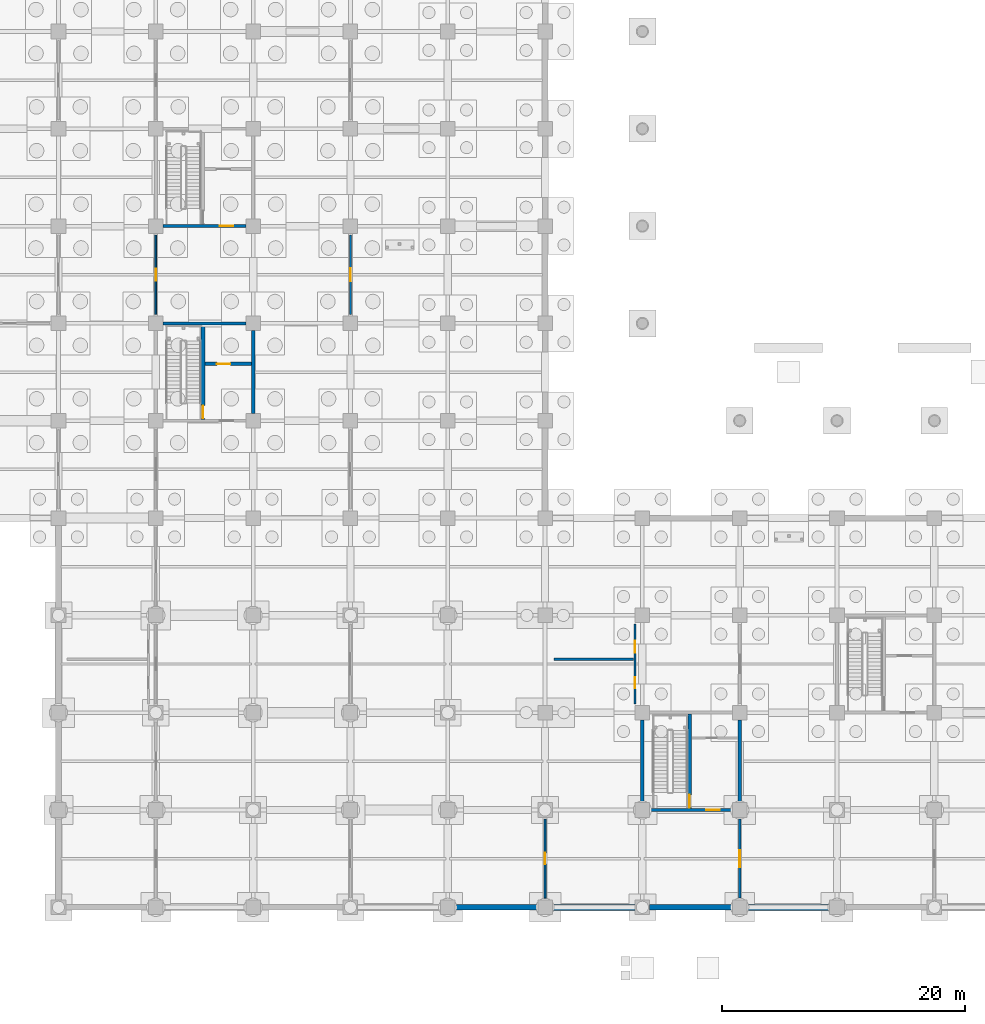
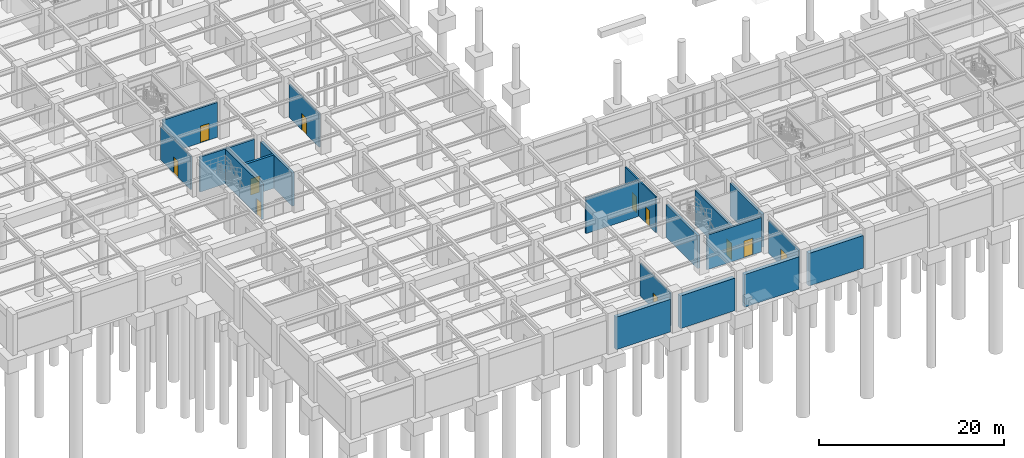
# One storey, part 68 of 97: 19 walls, 11 doors, 11 openings.
"""IFC4 building model written with IfcOpenShell, lengths in metres."""

from ifc_helpers import new_model, si_unit, direction, frame, frame_2d, origin, place, context, subcontext, project, spatial, rectangle, extrude, material, layer, layer_set, type_object, element, fill, save


model = new_model("IFC4")

# Units and contexts
model_context = context("Model", 3, precision=1e-05, world=origin(), true_north=direction((0.0, 1.0)))
body_context = subcontext(model_context, "Body", "Model", "MODEL_VIEW")
ifc_project = project(units=[si_unit("LENGTHUNIT", "METRE"), si_unit("AREAUNIT", "SQUARE_METRE"), si_unit("VOLUMEUNIT", "CUBIC_METRE"), si_unit("PLANEANGLEUNIT", "RADIAN"), si_unit("MASSUNIT", "GRAM", prefix="KILO")], contexts=[model_context])

# Site, building, storey
site_placement = place(None, origin())
site = spatial("IfcSite", under=ifc_project, at=site_placement, CompositionType="ELEMENT")
building_placement = place(site_placement, origin())
building = spatial("IfcBuilding", under=site, at=building_placement, Name="Haebicheon Civic Stadium", CompositionType="ELEMENT")
storey_placement = place(building_placement, frame((0.0, 0.0, -5.39990234375)))
storey = spatial("IfcBuildingStorey", under=building, at=storey_placement, Name="B1", CompositionType="ELEMENT", Elevation=-5.39990234375)

# Wall
ifc_material_1 = material(Name="Concrete C40/50", Category="concrete")
ifc_layer_1 = layer(ifc_material_1, 0.239990234375, Name="Concrete C40/50")
ifc_layer_set_1 = layer_set([ifc_layer_1], Name="Concrete C40/50")
wall_type_1 = type_object("IfcWallType", Name="CW-SHR-240", PredefinedType="SHEAR", material=ifc_layer_set_1)
wall_1_placement = place(storey_placement, frame((32.60009765625, 48.0, 0.0), z_axis=(0.0, 0.0, 1.0), x_axis=(1.0, 0.0, 0.0)))
element("IfcWall", 1, at=wall_1_placement, inside=storey, type_object=wall_type_1, material=ifc_layer_set_1, Name="KC-01 B1 north core shear wall", PredefinedType="SHEAR", context=body_context, shape_type="SweptSolid", body=[
    extrude(rectangle(XDim=6.7998046875, YDim=0.239990234375, at=frame_2d((3.39990234375, 0.0))), origin(), (0.0, 0.0, 1.0), 4.58984375),
])

# Wall, opening, door
wall_2_placement = place(storey_placement, frame((32.60009765625, 56.0, 0.0), z_axis=(0.0, 0.0, 1.0), x_axis=(1.0, 0.0, 0.0)))
wall_2 = element("IfcWall", 2, at=wall_2_placement, inside=storey, type_object=wall_type_1, material=ifc_layer_set_1, Name="KC-02 B1 south core shear wall", PredefinedType="SHEAR", context=body_context, shape_type="SweptSolid", body=[
    extrude(rectangle(XDim=6.7998046875, YDim=0.239990234375, at=frame_2d((3.39990234375, 0.0))), origin(), (0.0, 0.0, 1.0), 4.58984375),
])
opening_1_placement = place(wall_2_placement, frame((4.64990234375, 0.0, 0.0)))
opening_1 = element("IfcOpeningElement", 3, at=opening_1_placement, cuts=wall_2, Name="Opening D-B1-KC-02-LOB", PredefinedType="OPENING", context=body_context, shape_type="SweptSolid", body=[
    extrude(rectangle(XDim=1.10009765625, YDim=2.199951171875, at=frame_2d((0.550048828125, 1.10009765625))), frame((0.0, 0.1298828125, 0.0), z_axis=(0.0, -1.0, 0.0), x_axis=(1.0, 0.0, 0.0)), (0.0, 0.0, 1.0), 0.260009765625),
])
ifc_material_2 = material(Name="Galvanised painted steel SM355", Category="steel")
door_type_1 = type_object("IfcDoorType", Name="ID-FD-1100", OperationType="NOTDEFINED", PredefinedType="DOOR", material=ifc_material_2)
door_1_placement = place(opening_1_placement, origin())
door_1 = element("IfcDoor", 4, at=door_1_placement, inside=storey, type_object=door_type_1, material=ifc_material_2, Name="B1 KC-02 lobby fire door", OperationType="SINGLE_SWING_LEFT", OverallHeight=2.199951171875, OverallWidth=1.10009765625, PredefinedType="DOOR", context=body_context, shape_type="SweptSolid", body=[
    extrude(rectangle(XDim=1.10009765625, YDim=2.199951171875, at=frame_2d((0.550048828125, 1.10009765625))), frame((0.0, 0.02490234375, 0.0), z_axis=(0.0, -1.0, 0.0), x_axis=(1.0, 0.0, 0.0)), (0.0, 0.0, 1.0), 0.050048828125),
])
fill(opening_1, door_1)

wall_3_placement = place(storey_placement, frame((72.60009765625, 8.0, 0.0), z_axis=(0.0, 0.0, 1.0), x_axis=(1.0, 0.0, 0.0)))
wall_3 = element("IfcWall", 5, at=wall_3_placement, inside=storey, type_object=wall_type_1, material=ifc_layer_set_1, Name="KC-16 B1 south core shear wall", PredefinedType="SHEAR", context=body_context, shape_type="SweptSolid", body=[
    extrude(rectangle(XDim=6.7998046875, YDim=0.239990234375, at=frame_2d((3.39990234375, 0.0))), origin(), (0.0, 0.0, 1.0), 4.539794921875),
])
opening_2_placement = place(wall_3_placement, frame((4.64990234375, 0.0, 0.0)))
opening_2 = element("IfcOpeningElement", 6, at=opening_2_placement, cuts=wall_3, Name="Opening D-B1-KC-16-LOB", PredefinedType="OPENING", context=body_context, shape_type="SweptSolid", body=[
    extrude(rectangle(XDim=1.10009765625, YDim=2.199951171875, at=frame_2d((0.550048828125, 1.10009765625))), frame((0.0, 0.1298828125, 0.0), z_axis=(0.0, -1.0, 0.0), x_axis=(1.0, 0.0, 0.0)), (0.0, 0.0, 1.0), 0.260009765625),
])
door_2_placement = place(opening_2_placement, origin())
door_2 = element("IfcDoor", 7, at=door_2_placement, inside=storey, type_object=door_type_1, material=ifc_material_2, Name="B1 KC-16 lobby fire door", OperationType="SINGLE_SWING_RIGHT", OverallHeight=2.199951171875, OverallWidth=1.10009765625, PredefinedType="DOOR", context=body_context, shape_type="SweptSolid", body=[
    extrude(rectangle(XDim=1.10009765625, YDim=2.199951171875, at=frame_2d((0.550048828125, 1.10009765625))), frame((0.0, 0.02490234375, 0.0), z_axis=(0.0, -1.0, 0.0), x_axis=(1.0, 0.0, 0.0)), (0.0, 0.0, 1.0), 0.050048828125),
])
fill(opening_2, door_2)

# Wall
ifc_material_3 = material(Name="Concrete C40/50", Category="concrete")
ifc_layer_2 = layer(ifc_material_3, 0.300048828125, Name="Concrete C40/50")
ifc_layer_set_2 = layer_set([ifc_layer_2], Name="Concrete C40/50")
wall_type_2 = type_object("IfcWallType", Name="CW-SHR-300", PredefinedType="SHEAR", material=ifc_layer_set_2)
wall_4_placement = place(storey_placement, frame((40.0, 40.60009765625, 0.0), z_axis=(0.0, 0.0, 1.0), x_axis=(0.0, 1.0, 0.0)))
element("IfcWall", 8, at=wall_4_placement, inside=storey, type_object=wall_type_2, material=ifc_layer_set_2, Name="KC-01 B1 east core shear wall", PredefinedType="SHEAR", context=body_context, shape_type="SweptSolid", body=[
    extrude(rectangle(XDim=6.7998046875, YDim=0.300048828125, at=frame_2d((3.39990234375, 0.0))), origin(), (0.0, 0.0, 1.0), 4.389892578125),
])

# Wall, opening, door
wall_5_placement = place(storey_placement, frame((35.8798828125, 40.1201171875, 0.0), z_axis=(0.0, 0.0, 1.0), x_axis=(0.0, 1.0, 0.0)))
wall_5 = element("IfcWall", 9, at=wall_5_placement, inside=storey, type_object=wall_type_2, material=ifc_layer_set_2, Name="KC-01 B1 stair-lobby dividing shear wall", PredefinedType="SHEAR", context=body_context, shape_type="SweptSolid", body=[
    extrude(rectangle(XDim=7.759765625, YDim=0.300048828125, at=frame_2d((3.8798828125, 0.0))), origin(), (0.0, 0.0, 1.0), 4.58984375),
])
opening_3_placement = place(wall_5_placement, frame((0.080078125, 0.0, 0.0)))
opening_3 = element("IfcOpeningElement", 10, at=opening_3_placement, cuts=wall_5, Name="Opening D-B1-KC-01-STR", PredefinedType="OPENING", context=body_context, shape_type="SweptSolid", body=[
    extrude(rectangle(XDim=1.050048828125, YDim=2.14990234375, at=frame_2d((0.52490234375, 1.074951171875))), frame((0.0, 0.159912109375, 0.0), z_axis=(0.0, -1.0, 0.0), x_axis=(1.0, 0.0, 0.0)), (0.0, 0.0, 1.0), 0.320068359375),
])
ifc_material_4 = material(Name="Galvanised painted steel SM355", Category="steel")
door_type_2 = type_object("IfcDoorType", Name="ID-FD-1050", OperationType="NOTDEFINED", PredefinedType="DOOR", material=ifc_material_4)
door_3_placement = place(opening_3_placement, origin())
door_3 = element("IfcDoor", 11, at=door_3_placement, inside=storey, type_object=door_type_2, material=ifc_material_4, Name="B1 ST-01 stairwell escape door", OperationType="SINGLE_SWING_RIGHT", OverallHeight=2.14990234375, OverallWidth=1.050048828125, PredefinedType="DOOR", context=body_context, shape_type="SweptSolid", body=[
    extrude(rectangle(XDim=1.050048828125, YDim=2.14990234375, at=frame_2d((0.52490234375, 1.074951171875))), frame((0.0, 0.02490234375, 0.0), z_axis=(0.0, -1.0, 0.0), x_axis=(1.0, 0.0, 0.0)), (0.0, 0.0, 1.0), 0.050048828125),
])
fill(opening_3, door_3)

wall_6_placement = place(storey_placement, frame((36.030029296875, 44.679931640625, 0.0), z_axis=(0.0, 0.0, 1.0), x_axis=(1.0, 0.0, 0.0)))
wall_6 = element("IfcWall", 12, at=wall_6_placement, inside=storey, type_object=wall_type_2, material=ifc_layer_set_2, Name="KC-01 B1 lift shaft front wall", PredefinedType="SHEAR", context=body_context, shape_type="SweptSolid", body=[
    extrude(rectangle(XDim=3.820068359375, YDim=0.300048828125, at=frame_2d((1.91015625, 0.0))), origin(), (0.0, 0.0, 1.0), 4.389892578125),
])
opening_4_placement = place(wall_6_placement, frame((1.0, 0.0, 0.0)))
opening_4 = element("IfcOpeningElement", 13, at=opening_4_placement, cuts=wall_6, Name="Opening LD-01-B1", PredefinedType="OPENING", context=body_context, shape_type="SweptSolid", body=[
    extrude(rectangle(XDim=1.10009765625, YDim=2.14990234375, at=frame_2d((0.550048828125, 1.074951171875))), frame((0.0, 0.159912109375, 0.0), z_axis=(0.0, -1.0, 0.0), x_axis=(1.0, 0.0, 0.0)), (0.0, 0.0, 1.0), 0.320068359375),
])
ifc_material_5 = material(Name="Stainless steel 316", Category="steel")
door_type_3 = type_object("IfcDoorType", Name="ID-LD-1100", OperationType="NOTDEFINED", PredefinedType="DOOR", material=ifc_material_5)
door_4_placement = place(opening_4_placement, origin())
door_4 = element("IfcDoor", 14, at=door_4_placement, inside=storey, type_object=door_type_3, material=ifc_material_5, Name="LF-01 lift landing sliding door B1", OperationType="SLIDING_TO_LEFT", OverallHeight=2.14990234375, OverallWidth=1.10009765625, PredefinedType="DOOR", context=body_context, shape_type="SweptSolid", body=[
    extrude(rectangle(XDim=1.10009765625, YDim=2.14990234375, at=frame_2d((0.550048828125, 1.074951171875))), frame((0.0, 0.02490234375, 0.0), z_axis=(0.0, -1.0, 0.0), x_axis=(1.0, 0.0, 0.0)), (0.0, 0.0, 1.0), 0.050048828125),
])
fill(opening_4, door_4)

# Walls
for number, where, z_axis, x_axis, name in (
    (15, (72.0, 8.60009765625, 0.0), (0.0, 0.0, 1.0), (0.0, 1.0, 0.0), "KC-16 B1 west core shear wall"),
    (16, (80.0, 8.60009765625, 0.0), (0.0, 0.0, 1.0), (0.0, 1.0, 0.0), "KC-16 B1 east core shear wall"),
):
    element("IfcWall", number, at=place(storey_placement, frame(where, z_axis=z_axis, x_axis=x_axis)), inside=storey, type_object=wall_type_2, material=ifc_layer_set_2, Name=name, PredefinedType="SHEAR", context=body_context, shape_type="SweptSolid", body=[
        extrude(rectangle(XDim=6.7998046875, YDim=0.300048828125, at=frame_2d((3.39990234375, 0.0))), origin(), (0.0, 0.0, 1.0), 4.33984375),
    ])

# Wall, opening, door
wall_7_placement = place(storey_placement, frame((75.8798828125, 8.1201171875, 0.0), z_axis=(0.0, 0.0, 1.0), x_axis=(0.0, 1.0, 0.0)))
wall_7 = element("IfcWall", 17, at=wall_7_placement, inside=storey, type_object=wall_type_2, material=ifc_layer_set_2, Name="KC-16 B1 stair-lobby dividing shear wall", PredefinedType="SHEAR", context=body_context, shape_type="SweptSolid", body=[
    extrude(rectangle(XDim=7.759765625, YDim=0.300048828125, at=frame_2d((3.8798828125, 0.0))), origin(), (0.0, 0.0, 1.0), 4.539794921875),
])
opening_5_placement = place(wall_7_placement, frame((0.080078125, 0.0, 0.0)))
opening_5 = element("IfcOpeningElement", 18, at=opening_5_placement, cuts=wall_7, Name="Opening D-B1-KC-16-STR", PredefinedType="OPENING", context=body_context, shape_type="SweptSolid", body=[
    extrude(rectangle(XDim=1.050048828125, YDim=2.14990234375, at=frame_2d((0.52490234375, 1.074951171875))), frame((0.0, 0.159912109375, 0.0), z_axis=(0.0, -1.0, 0.0), x_axis=(1.0, 0.0, 0.0)), (0.0, 0.0, 1.0), 0.320068359375),
])
door_5_placement = place(opening_5_placement, origin())
door_5 = element("IfcDoor", 19, at=door_5_placement, inside=storey, type_object=door_type_2, material=ifc_material_4, Name="B1 ST-16 stairwell escape door", OperationType="SINGLE_SWING_LEFT", OverallHeight=2.14990234375, OverallWidth=1.050048828125, PredefinedType="DOOR", context=body_context, shape_type="SweptSolid", body=[
    extrude(rectangle(XDim=1.050048828125, YDim=2.14990234375, at=frame_2d((0.52490234375, 1.074951171875))), frame((0.0, 0.02490234375, 0.0), z_axis=(0.0, -1.0, 0.0), x_axis=(1.0, 0.0, 0.0)), (0.0, 0.0, 1.0), 0.050048828125),
])
fill(opening_5, door_5)

# Walls
ifc_material_6 = material(Name="Concrete C40/50", Category="concrete")
ifc_layer_3 = layer(ifc_material_6, 0.4599609375, Name="Concrete C40/50")
ifc_layer_set_3 = layer_set([ifc_layer_3], Name="Concrete C40/50")
wall_type_3 = type_object("IfcWallType", Name="EW-RET-460", PredefinedType="STANDARD", material=ifc_layer_set_3)
for number, where, z_axis, x_axis, name in (
    (20, (56.60009765625, 0.0, 0.0), (0.0, 0.0, 1.0), (1.0, 0.0, 0.0), "B1 retaining wall 07-00-S"),
    (21, (72.60009765625, 0.0, 0.0), (0.0, 0.0, 1.0), (1.0, 0.0, 0.0), "B1 retaining wall 09-00-S"),
):
    element("IfcWall", number, at=place(storey_placement, frame(where, z_axis=z_axis, x_axis=x_axis)), inside=storey, type_object=wall_type_3, material=ifc_layer_set_3, Name=name, PredefinedType="STANDARD", context=body_context, shape_type="SweptSolid", body=[
        extrude(rectangle(XDim=6.7998046875, YDim=0.4599609375, at=frame_2d((3.39990234375, 0.0))), origin(), (0.0, 0.0, 1.0), 4.289794921875),
    ])
ifc_material_7 = material(Name="Concrete C40/50", Category="concrete")
ifc_layer_4 = layer(ifc_material_7, 0.5, Name="Concrete C40/50")
ifc_layer_set_4 = layer_set([ifc_layer_4], Name="Concrete C40/50")
wall_type_4 = type_object("IfcWallType", Name="EW-RET-500", PredefinedType="STANDARD", material=ifc_layer_set_4)
for number, where, z_axis, x_axis, name in (
    (22, (64.60009765625, 0.0, 0.0), (0.0, 0.0, 1.0), (1.0, 0.0, 0.0), "B1 retaining wall 08-00-S"),
    (23, (80.60009765625, 0.0, 0.0), (0.0, 0.0, 1.0), (1.0, 0.0, 0.0), "B1 retaining wall 10-00-S"),
):
    element("IfcWall", number, at=place(storey_placement, frame(where, z_axis=z_axis, x_axis=x_axis)), inside=storey, type_object=wall_type_4, material=ifc_layer_set_4, Name=name, PredefinedType="STANDARD", context=body_context, shape_type="SweptSolid", body=[
        extrude(rectangle(XDim=6.7998046875, YDim=0.5, at=frame_2d((3.39990234375, 0.0))), origin(), (0.0, 0.0, 1.0), 4.289794921875),
    ])

# Wall, opening, door
ifc_material_8 = material(Name="Anodised aluminium acoustic panel", Category="aluminium")
ifc_layer_5 = layer(ifc_material_8, 0.139892578125, Name="Anodised aluminium acoustic panel")
ifc_layer_set_5 = layer_set([ifc_layer_5], Name="Anodised aluminium acoustic panel")
wall_type_5 = type_object("IfcWallType", Name="IW-MOV-140", PredefinedType="MOVABLE", material=ifc_layer_set_5)
wall_8_placement = place(storey_placement, frame((32.0, 48.75, 0.0), z_axis=(0.0, 0.0, 1.0), x_axis=(0.0, 1.0, 0.0)))
wall_8 = element("IfcWall", 24, at=wall_8_placement, inside=storey, type_object=wall_type_5, material=ifc_layer_set_5, Name="B1 Home Team Changing Room partition wall", PredefinedType="MOVABLE", context=body_context, shape_type="SweptSolid", body=[
    extrude(rectangle(XDim=6.5, YDim=0.139892578125, at=frame_2d((3.25, 0.0))), origin(), (0.0, 0.0, 1.0), 4.389892578125),
])
opening_6_placement = place(wall_8_placement, frame((2.77490234375, 0.0, 0.0)))
opening_6 = element("IfcOpeningElement", 25, at=opening_6_placement, cuts=wall_8, Name="Opening D-B1-013", PredefinedType="OPENING", context=body_context, shape_type="SweptSolid", body=[
    extrude(rectangle(XDim=0.949951171875, YDim=2.10009765625, at=frame_2d((0.47509765625, 1.050048828125))), frame((0.0, 0.079833984375, 0.0), z_axis=(0.0, -1.0, 0.0), x_axis=(1.0, 0.0, 0.0)), (0.0, 0.0, 1.0), 0.159912109375),
])
ifc_material_9 = material(Name="Engineered hardwood timber", Category="wood")
door_type_4 = type_object("IfcDoorType", Name="ID-RM-0950", OperationType="NOTDEFINED", PredefinedType="DOOR", material=ifc_material_9)
door_6_placement = place(opening_6_placement, origin())
door_6 = element("IfcDoor", 26, at=door_6_placement, inside=storey, type_object=door_type_4, material=ifc_material_9, Name="B1 Home Team Changing Room entrance door D-B1-013", OperationType="SINGLE_SWING_LEFT", OverallHeight=2.10009765625, OverallWidth=0.949951171875, PredefinedType="DOOR", context=body_context, shape_type="SweptSolid", body=[
    extrude(rectangle(XDim=0.949951171875, YDim=2.10009765625, at=frame_2d((0.47509765625, 1.050048828125))), frame((0.0, 0.02490234375, 0.0), z_axis=(0.0, -1.0, 0.0), x_axis=(1.0, 0.0, 0.0)), (0.0, 0.0, 1.0), 0.050048828125),
])
fill(opening_6, door_6)

# Wall
ifc_material_10 = material(Name="Concrete C35/45", Category="concrete")
ifc_layer_6 = layer(ifc_material_10, 0.219970703125, Name="Concrete C35/45")
ifc_layer_set_6 = layer_set([ifc_layer_6], Name="Concrete C35/45")
wall_type_6 = type_object("IfcWallType", Name="IW-PLB-220", PredefinedType="PLUMBINGWALL", material=ifc_layer_set_6)
wall_9_placement = place(storey_placement, frame((64.719970703125, 20.39990234375, 0.0), z_axis=(0.0, 0.0, 1.0), x_axis=(1.0, 0.0, 0.0)))
element("IfcWall", 27, at=wall_9_placement, inside=storey, type_object=wall_type_6, material=ifc_layer_set_6, Name="B1 sanitary plumbing chase wall 02", PredefinedType="PLUMBINGWALL", context=body_context, shape_type="SweptSolid", body=[
    extrude(rectangle(XDim=6.56005859375, YDim=0.219970703125, at=frame_2d((3.280029296875, 0.0))), origin(), (0.0, 0.0, 1.0), 4.68994140625),
])

# Wall, opening, door
ifc_material_11 = material(Name="Gypsum plasterboard on steel studs", Category="gypsum")
ifc_layer_7 = layer(ifc_material_11, 0.14990234375, Name="Gypsum plasterboard on steel studs")
ifc_layer_set_7 = layer_set([ifc_layer_7], Name="Gypsum plasterboard on steel studs")
wall_type_7 = type_object("IfcWallType", Name="IW-PRT-150", PredefinedType="PARTITIONING", material=ifc_layer_set_7)
wall_10_placement = place(storey_placement, frame((48.0, 48.75, 0.0), z_axis=(0.0, 0.0, 1.0), x_axis=(0.0, 1.0, 0.0)))
wall_10 = element("IfcWall", 28, at=wall_10_placement, inside=storey, type_object=wall_type_7, material=ifc_layer_set_7, Name="B1 Doping Control and Medical Examination Suite partition wall", PredefinedType="PARTITIONING", context=body_context, shape_type="SweptSolid", body=[
    extrude(rectangle(XDim=6.5, YDim=0.14990234375, at=frame_2d((3.25, 0.0))), origin(), (0.0, 0.0, 1.0), 4.389892578125),
])
opening_7_placement = place(wall_10_placement, frame((2.72509765625, 0.0, 0.0)))
opening_7 = element("IfcOpeningElement", 29, at=opening_7_placement, cuts=wall_10, Name="Opening D-B1-023", PredefinedType="OPENING", context=body_context, shape_type="SweptSolid", body=[
    extrude(rectangle(XDim=1.050048828125, YDim=2.14990234375, at=frame_2d((0.52490234375, 1.074951171875))), frame((0.0, 0.0849609375, 0.0), z_axis=(0.0, -1.0, 0.0), x_axis=(1.0, 0.0, 0.0)), (0.0, 0.0, 1.0), 0.169921875),
])
ifc_material_12 = material(Name="Engineered hardwood timber", Category="wood")
door_type_5 = type_object("IfcDoorType", Name="ID-RM-1050", OperationType="NOTDEFINED", PredefinedType="DOOR", material=ifc_material_12)
door_7_placement = place(opening_7_placement, origin())
door_7 = element("IfcDoor", 30, at=door_7_placement, inside=storey, type_object=door_type_5, material=ifc_material_12, Name="B1 Doping Control and Medical Examination Suite entrance door D-B1-023", OperationType="SINGLE_SWING_RIGHT", OverallHeight=2.14990234375, OverallWidth=1.050048828125, PredefinedType="DOOR", context=body_context, shape_type="SweptSolid", body=[
    extrude(rectangle(XDim=1.050048828125, YDim=2.14990234375, at=frame_2d((0.52490234375, 1.074951171875))), frame((0.0, 0.02490234375, 0.0), z_axis=(0.0, -1.0, 0.0), x_axis=(1.0, 0.0, 0.0)), (0.0, 0.0, 1.0), 0.050048828125),
])
fill(opening_7, door_7)

# Wall, openings, doors
wall_11_placement = place(storey_placement, frame((71.39990234375, 16.719970703125, 0.0), z_axis=(0.0, 0.0, 1.0), x_axis=(0.0, 1.0, 0.0)))
wall_11 = element("IfcWall", 31, at=wall_11_placement, inside=storey, type_object=wall_type_7, material=ifc_layer_set_7, Name="B1 sanitary enclosure front wall 02", PredefinedType="PARTITIONING", context=body_context, shape_type="SweptSolid", body=[
    extrude(rectangle(XDim=6.56005859375, YDim=0.14990234375, at=frame_2d((3.280029296875, 0.0))), origin(), (0.0, 0.0, 1.0), 4.68994140625),
])
opening_8_placement = place(wall_11_placement, frame((1.300048828125, 0.0, 0.0)))
opening_8 = element("IfcOpeningElement", 32, at=opening_8_placement, cuts=wall_11, Name="Opening D-B1-WC-02A", PredefinedType="OPENING", context=body_context, shape_type="SweptSolid", body=[
    extrude(rectangle(XDim=0.89990234375, YDim=2.10009765625, at=frame_2d((0.449951171875, 1.050048828125))), frame((0.0, 0.0849609375, 0.0), z_axis=(0.0, -1.0, 0.0), x_axis=(1.0, 0.0, 0.0)), (0.0, 0.0, 1.0), 0.169921875),
])
opening_9_placement = place(wall_11_placement, frame((4.199951171875, 0.0, 0.0)))
opening_9 = element("IfcOpeningElement", 33, at=opening_9_placement, cuts=wall_11, Name="Opening D-B1-AWC-02B", PredefinedType="OPENING", context=body_context, shape_type="SweptSolid", body=[
    extrude(rectangle(XDim=1.0, YDim=2.14990234375, at=frame_2d((0.5, 1.074951171875))), frame((0.0, 0.0849609375, 0.0), z_axis=(0.0, -1.0, 0.0), x_axis=(1.0, 0.0, 0.0)), (0.0, 0.0, 1.0), 0.169921875),
])
ifc_material_13 = material(Name="Anodised aluminium 6063-T6", Category="aluminium")
door_type_6 = type_object("IfcDoorType", Name="ID-AWC-1000", OperationType="NOTDEFINED", PredefinedType="DOOR", material=ifc_material_13)
door_8_placement = place(opening_9_placement, origin())
door_8 = element("IfcDoor", 34, at=door_8_placement, inside=storey, type_object=door_type_6, material=ifc_material_13, Name="B1 accessible WC door 02", OperationType="SINGLE_SWING_RIGHT", OverallHeight=2.14990234375, OverallWidth=1.0, PredefinedType="DOOR", context=body_context, shape_type="SweptSolid", body=[
    extrude(rectangle(XDim=1.0, YDim=2.14990234375, at=frame_2d((0.5, 1.074951171875))), frame((0.0, 0.02490234375, 0.0), z_axis=(0.0, -1.0, 0.0), x_axis=(1.0, 0.0, 0.0)), (0.0, 0.0, 1.0), 0.050048828125),
])
fill(opening_9, door_8)
ifc_material_14 = material(Name="Anodised aluminium 6063-T6", Category="aluminium")
door_type_7 = type_object("IfcDoorType", Name="ID-WC-0900", OperationType="NOTDEFINED", PredefinedType="DOOR", material=ifc_material_14)
door_9_placement = place(opening_8_placement, origin())
door_9 = element("IfcDoor", 35, at=door_9_placement, inside=storey, type_object=door_type_7, material=ifc_material_14, Name="B1 public restroom door 02", OperationType="SINGLE_SWING_LEFT", OverallHeight=2.10009765625, OverallWidth=0.89990234375, PredefinedType="DOOR", context=body_context, shape_type="SweptSolid", body=[
    extrude(rectangle(XDim=0.89990234375, YDim=2.10009765625, at=frame_2d((0.449951171875, 1.050048828125))), frame((0.0, 0.02490234375, 0.0), z_axis=(0.0, -1.0, 0.0), x_axis=(1.0, 0.0, 0.0)), (0.0, 0.0, 1.0), 0.050048828125),
])
fill(opening_8, door_9)

# Wall, opening, door
ifc_material_15 = material(Name="Concrete C35/45", Category="concrete")
ifc_layer_8 = layer(ifc_material_15, 0.159912109375, Name="Concrete C35/45")
ifc_layer_set_8 = layer_set([ifc_layer_8], Name="Concrete C35/45")
wall_type_8 = type_object("IfcWallType", Name="IW-PRT-160", PredefinedType="PARTITIONING", material=ifc_layer_set_8)
wall_12_placement = place(storey_placement, frame((64.0, 0.75, 0.0), z_axis=(0.0, 0.0, 1.0), x_axis=(0.0, 1.0, 0.0)))
wall_12 = element("IfcWall", 36, at=wall_12_placement, inside=storey, type_object=wall_type_8, material=ifc_layer_set_8, Name="B1 Turf Maintenance Equipment Store partition wall", PredefinedType="PARTITIONING", context=body_context, shape_type="SweptSolid", body=[
    extrude(rectangle(XDim=6.5, YDim=0.159912109375, at=frame_2d((3.25, 0.0))), origin(), (0.0, 0.0, 1.0), 4.33984375),
])
opening_10_placement = place(wall_12_placement, frame((2.77490234375, 0.0, 0.0)))
opening_10 = element("IfcOpeningElement", 37, at=opening_10_placement, cuts=wall_12, Name="Opening D-B1-107", PredefinedType="OPENING", context=body_context, shape_type="SweptSolid", body=[
    extrude(rectangle(XDim=0.949951171875, YDim=2.10009765625, at=frame_2d((0.47509765625, 1.050048828125))), frame((0.0, 0.08984375, 0.0), z_axis=(0.0, -1.0, 0.0), x_axis=(1.0, 0.0, 0.0)), (0.0, 0.0, 1.0), 0.179931640625),
])
door_10_placement = place(opening_10_placement, origin())
door_10 = element("IfcDoor", 38, at=door_10_placement, inside=storey, type_object=door_type_4, material=ifc_material_9, Name="B1 Turf Maintenance Equipment Store entrance door D-B1-107", OperationType="SINGLE_SWING_LEFT", OverallHeight=2.10009765625, OverallWidth=0.949951171875, PredefinedType="DOOR", context=body_context, shape_type="SweptSolid", body=[
    extrude(rectangle(XDim=0.949951171875, YDim=2.10009765625, at=frame_2d((0.47509765625, 1.050048828125))), frame((0.0, 0.02490234375, 0.0), z_axis=(0.0, -1.0, 0.0), x_axis=(1.0, 0.0, 0.0)), (0.0, 0.0, 1.0), 0.050048828125),
])
fill(opening_10, door_10)

ifc_material_16 = material(Name="Concrete C35/45", Category="concrete")
ifc_layer_9 = layer(ifc_material_16, 0.179931640625, Name="Concrete C35/45")
ifc_layer_set_9 = layer_set([ifc_layer_9], Name="Concrete C35/45")
wall_type_9 = type_object("IfcWallType", Name="IW-PRT-180", PredefinedType="PARTITIONING", material=ifc_layer_set_9)
wall_13_placement = place(storey_placement, frame((80.0, 0.75, 0.0), z_axis=(0.0, 0.0, 1.0), x_axis=(0.0, 1.0, 0.0)))
wall_13 = element("IfcWall", 39, at=wall_13_placement, inside=storey, type_object=wall_type_9, material=ifc_layer_set_9, Name="B1 Rainwater Harvesting Cistern Plant partition wall", PredefinedType="PARTITIONING", context=body_context, shape_type="SweptSolid", body=[
    extrude(rectangle(XDim=6.5, YDim=0.179931640625, at=frame_2d((3.25, 0.0))), origin(), (0.0, 0.0, 1.0), 4.33984375),
])
opening_11_placement = place(wall_13_placement, frame((2.550048828125, 0.0, 0.0)))
opening_11 = element("IfcOpeningElement", 40, at=opening_11_placement, cuts=wall_13, Name="Opening D-B1-108", PredefinedType="OPENING", context=body_context, shape_type="SweptSolid", body=[
    extrude(rectangle(XDim=1.39990234375, YDim=2.199951171875, at=frame_2d((0.699951171875, 1.10009765625))), frame((0.0, 0.099853515625, 0.0), z_axis=(0.0, -1.0, 0.0), x_axis=(1.0, 0.0, 0.0)), (0.0, 0.0, 1.0), 0.199951171875),
])
ifc_material_17 = material(Name="Galvanised painted steel SM355", Category="steel")
door_type_8 = type_object("IfcDoorType", Name="ID-PLT-1400", OperationType="NOTDEFINED", PredefinedType="DOOR", material=ifc_material_17)
door_11_placement = place(opening_11_placement, origin())
door_11 = element("IfcDoor", 41, at=door_11_placement, inside=storey, type_object=door_type_8, material=ifc_material_17, Name="B1 Rainwater Harvesting Cistern Plant entrance door D-B1-108", OperationType="SINGLE_SWING_RIGHT", OverallHeight=2.199951171875, OverallWidth=1.39990234375, PredefinedType="DOOR", context=body_context, shape_type="SweptSolid", body=[
    extrude(rectangle(XDim=1.39990234375, YDim=2.199951171875, at=frame_2d((0.699951171875, 1.10009765625))), frame((0.0, 0.02490234375, 0.0), z_axis=(0.0, -1.0, 0.0), x_axis=(1.0, 0.0, 0.0)), (0.0, 0.0, 1.0), 0.050048828125),
])
fill(opening_11, door_11)

save(model, "model.ifc")
